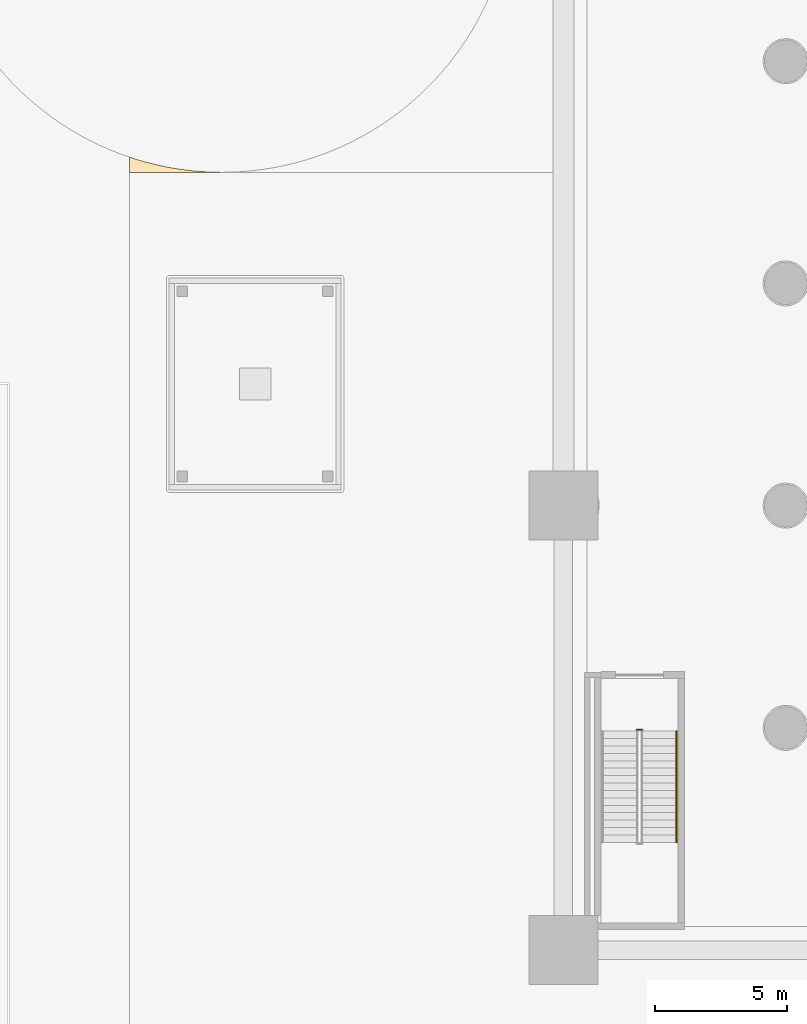
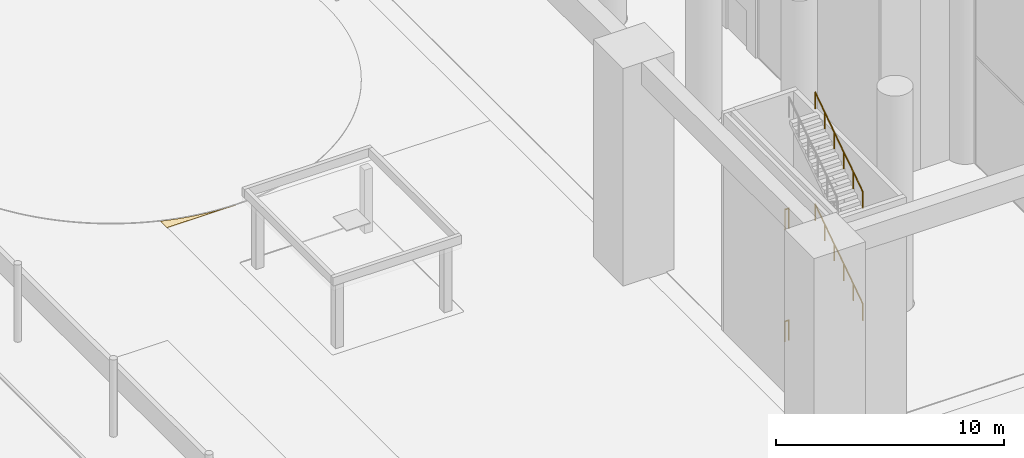
# One storey, part 27 of 52: 4 railings, 1 covering.
"""IFC4 building model written with IfcOpenShell, lengths in metres."""

from ifc_helpers import new_model, si_unit, direction, frame, origin, origin_2d, place, context, subcontext, project, spatial, polyline, circle, outline, extrude, material, layer, layer_set, type_object, element, save


model = new_model("IFC4")

# Units and contexts
model_context = context("Model", 3, precision=1e-05, world=origin(), true_north=direction((0.0, 1.0)))
body_context = subcontext(model_context, "Body", "Model", "MODEL_VIEW")
ifc_project = project(units=[si_unit("LENGTHUNIT", "METRE"), si_unit("AREAUNIT", "SQUARE_METRE"), si_unit("VOLUMEUNIT", "CUBIC_METRE"), si_unit("PLANEANGLEUNIT", "RADIAN"), si_unit("MASSUNIT", "GRAM", prefix="KILO")], contexts=[model_context])

# Site, building, storey
site_placement = place(None, origin())
site = spatial("IfcSite", under=ifc_project, at=site_placement, CompositionType="ELEMENT")
building_placement = place(site_placement, origin())
building = spatial("IfcBuilding", under=site, at=building_placement, Name="Cantera Rosa Tower", CompositionType="ELEMENT")
storey_placement = place(building_placement, origin())
storey = spatial("IfcBuildingStorey", under=building, at=storey_placement, Name="L00", CompositionType="ELEMENT", Elevation=0.0)

# Covering
ifc_material_1 = material(Name="Stone paving", Category="masonry")
ifc_layer = layer(ifc_material_1, 0.0400390625)
ifc_layer_set = layer_set([ifc_layer], Name="Plaza paving 40")
covering_type = type_object("IfcCoveringType", Name="Plaza paving 40", PredefinedType="USERDEFINED", material=ifc_layer_set)
covering_placement = place(storey_placement, origin())
element("IfcCovering", 1, at=covering_placement, inside=storey, type_object=covering_type, Name="Plaza paving NW", ObjectType="PAVING", PredefinedType="USERDEFINED", context=body_context, shape_type="SweptSolid", body=[
    extrude(outline(polyline([(-49.693115234375, 0.4736328125), (-50.0, 0.572265625), (-50.0, 0.0), (-46.5, 0.0), (-46.85986328125, 0.005859375), (-47.219482421875, 0.023681640625), (-47.578125, 0.052978515625), (-47.935791015625, 0.093994140625), (-48.2919921875, 0.14697265625), (-48.64599609375, 0.21142578125), (-48.997802734375, 0.287353515625), (-49.346923828125, 0.374755859375), (-49.693115234375, 0.4736328125)])), origin(), (0.0, 0.0, 1.0), 0.0400390625),
])

# Railings
ifc_material_2 = material(Name="Steel S355J2 (EN 10025-2)", Category="steel")
railing_type_1 = type_object("IfcRailingType", Name="STAIR GUARD 1100", PredefinedType="GUARDRAIL", material=ifc_material_2)
for number, where, name in (
    (2, (-30.824951171875, -21.074951171875, 6.0), "L00 ST-SW stair guard 4"),
    (3, (-30.824951171875, -21.074951171875, 0.0), "L00 ST-SW stair guard 8"),
):
    element("IfcRailing", number, at=place(storey_placement, frame(where)), inside=storey, type_object=railing_type_1, Name=name, PredefinedType="GUARDRAIL", context=body_context, shape_type="SweptSolid", body=[
        extrude(circle(Radius=0.02392578125, at=origin_2d()), frame((0.0, 0.0, 1.076171875), z_axis=(1.0, 0.0, 0.0), x_axis=(0.0, 1.0, 0.0)), (0.0, 0.0, 1.0), 0.199951171875),
        extrude(circle(Radius=0.02099609375, at=origin_2d()), origin(), (0.0, 0.0, 1.0), 1.052001953125),
        extrude(circle(Radius=0.02099609375, at=origin_2d()), frame((0.199951171875, 0.0, 0.0)), (0.0, 0.0, 1.0), 1.052001953125),
    ])
ifc_material_3 = material(Name="Steel S355J2 (EN 10025-2)", Category="steel")
railing_type_2 = type_object("IfcRailingType", Name="STAIR HANDRAIL 900", PredefinedType="HANDRAIL", material=ifc_material_3)
for number, where, name in (
    (4, (-29.324951171875, -25.324951171875, 3.1875), "L00 ST-SW stair handrail 2"),
    (5, (-29.324951171875, -25.324951171875, 9.1875), "L00 ST-SW stair handrail 4"),
):
    element("IfcRailing", number, at=place(storey_placement, frame(where)), inside=storey, type_object=railing_type_2, Name=name, PredefinedType="HANDRAIL", context=body_context, shape_type="SweptSolid", body=[
        extrude(circle(Radius=0.02392578125, at=origin_2d()), frame((0.0, 0.0, 0.8759765625), z_axis=(0.0, 0.830904186295, 0.556415522067), x_axis=(-1.0, 0.0, 0.0)), (0.0, 0.0, 1.0), 5.0546875),
        extrude(circle(Radius=0.02099609375, at=origin_2d()), origin(), (0.0, 0.0, 1.0), 0.851806640625),
        extrude(circle(Radius=0.02099609375, at=origin_2d()), frame((0.0, 0.840087890625, 0.5625)), (0.0, 0.0, 1.0), 0.851806640625),
        extrude(circle(Radius=0.02099609375, at=origin_2d()), frame((0.0, 1.679931640625, 1.125)), (0.0, 0.0, 1.0), 0.851806640625),
        extrude(circle(Radius=0.02099609375, at=origin_2d()), frame((0.0, 2.52001953125, 1.6875)), (0.0, 0.0, 1.0), 0.851806640625),
        extrude(circle(Radius=0.02099609375, at=origin_2d()), frame((0.0, 3.35986328125, 2.25)), (0.0, 0.0, 1.0), 0.851806640625),
        extrude(circle(Radius=0.02099609375, at=origin_2d()), frame((0.0, 4.199951171875, 2.8125)), (0.0, 0.0, 1.0), 0.851806640625),
    ])

save(model, "model.ifc")
